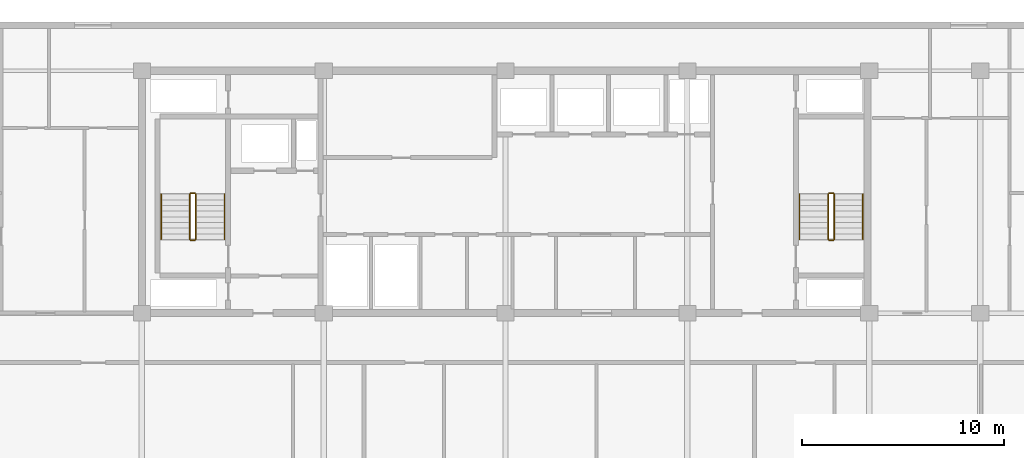
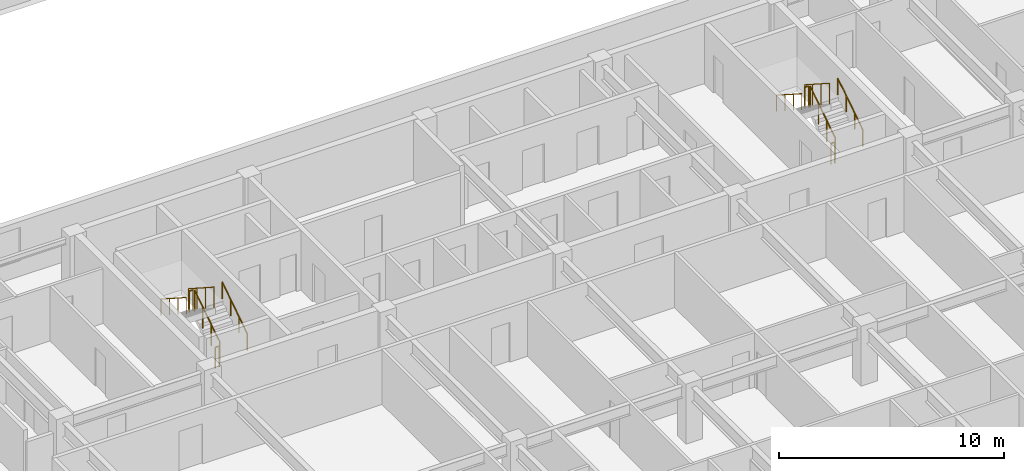
# One storey, part 18 of 21: 12 railings.
"""IFC4 building model written with IfcOpenShell, lengths in metres."""

from ifc_helpers import new_model, si_unit, direction, frame, origin, origin_2d, place, context, subcontext, project, spatial, circle, extrude, material, type_object, element, save


model = new_model("IFC4")

# Units and contexts
model_context = context("Model", 3, precision=1e-05, world=origin(), true_north=direction((0.0, 1.0)))
body_context = subcontext(model_context, "Body", "Model", "MODEL_VIEW")
ifc_project = project(units=[si_unit("LENGTHUNIT", "METRE"), si_unit("AREAUNIT", "SQUARE_METRE"), si_unit("VOLUMEUNIT", "CUBIC_METRE"), si_unit("PLANEANGLEUNIT", "RADIAN"), si_unit("MASSUNIT", "GRAM", prefix="KILO")], contexts=[model_context])

# Site, building, storey
site_placement = place(None, origin())
site = spatial("IfcSite", under=ifc_project, at=site_placement, CompositionType="ELEMENT")
building_placement = place(site_placement, origin())
building = spatial("IfcBuilding", under=site, at=building_placement, Name="Korimba Cascade Residences", CompositionType="ELEMENT")
storey_placement = place(building_placement, frame((0.0, 0.0, 116.550048828125)))
storey = spatial("IfcBuildingStorey", under=building, at=storey_placement, Name="L33", CompositionType="ELEMENT", Elevation=116.550048828125)

# Railings
ifc_material_1 = material(Name="Painted Steel Stairwell Guardrail", Category="steel")
railing_type_1 = type_object("IfcRailingType", Name="RLG-ST-GD1150", PredefinedType="GUARDRAIL", material=ifc_material_1)
railing_1_placement = place(storey_placement, frame((84.77001953125, 22.050048828125, 0.180419921875)))
element("IfcRailing", 1, at=railing_1_placement, inside=storey, type_object=railing_type_1, Name="L33 ST-E1 stair guard 1", PredefinedType="GUARDRAIL", context=body_context, shape_type="SweptSolid", body=[
    extrude(circle(Radius=0.02392578125, at=origin_2d()), frame((0.0, 0.0, 1.1259765625), z_axis=(0.0, 0.840394893359, 0.541974559565), x_axis=(-1.0, 0.0, 0.0)), (0.0, 0.0, 1.0), 2.665283203125),
    extrude(circle(Radius=0.02099609375, at=origin_2d()), origin(), (0.0, 0.0, 1.0), 1.101806640625),
    extrude(circle(Radius=0.02099609375, at=origin_2d()), frame((0.0, 0.74658203125, 0.4814453125)), (0.0, 0.0, 1.0), 1.101806640625),
    extrude(circle(Radius=0.02099609375, at=origin_2d()), frame((0.0, 1.493408203125, 0.963134765625)), (0.0, 0.0, 1.0), 1.101806640625),
    extrude(circle(Radius=0.02099609375, at=origin_2d()), frame((0.0, 2.239990234375, 1.444580078125)), (0.0, 0.0, 1.0), 1.101806640625),
])
railing_2_placement = place(storey_placement, frame((84.719970703125, 24.340087890625, 1.625)))
element("IfcRailing", 2, at=railing_2_placement, inside=storey, type_object=railing_type_1, Name="L33 ST-E1 stair guard 2", PredefinedType="GUARDRAIL", context=body_context, shape_type="SweptSolid", body=[
    extrude(circle(Radius=0.02392578125, at=origin_2d()), frame((0.0, 0.0, 1.1259765625), z_axis=(-1.0, 0.0, 0.0), x_axis=(0.0, -1.0, 0.0)), (0.0, 0.0, 1.0), 0.199951171875),
    extrude(circle(Radius=0.02099609375, at=origin_2d()), origin(), (0.0, 0.0, 1.0), 1.101806640625),
    extrude(circle(Radius=0.02099609375, at=origin_2d()), frame((-0.199951171875, 0.0, 0.0)), (0.0, 0.0, 1.0), 1.101806640625),
])
railing_3_placement = place(storey_placement, frame((84.469970703125, 24.2900390625, 1.805419921875)))
element("IfcRailing", 3, at=railing_3_placement, inside=storey, type_object=railing_type_1, Name="L33 ST-E1 stair guard 3", PredefinedType="GUARDRAIL", context=body_context, shape_type="SweptSolid", body=[
    extrude(circle(Radius=0.02392578125, at=origin_2d()), frame((0.0, 0.0, 1.1259765625), z_axis=(0.0, -0.840394893359, 0.541974559565), x_axis=(1.0, 0.0, 0.0)), (0.0, 0.0, 1.0), 2.665283203125),
    extrude(circle(Radius=0.02099609375, at=origin_2d()), origin(), (0.0, 0.0, 1.0), 1.101806640625),
    extrude(circle(Radius=0.02099609375, at=origin_2d()), frame((0.0, -0.74658203125, 0.4814453125)), (0.0, 0.0, 1.0), 1.101806640625),
    extrude(circle(Radius=0.02099609375, at=origin_2d()), frame((0.0, -1.493408203125, 0.963134765625)), (0.0, 0.0, 1.0), 1.101806640625),
    extrude(circle(Radius=0.02099609375, at=origin_2d()), frame((0.0, -2.239990234375, 1.444580078125)), (0.0, 0.0, 1.0), 1.101806640625),
])
railing_4_placement = place(storey_placement, frame((84.719970703125, 22.0, 0.0)))
element("IfcRailing", 4, at=railing_4_placement, inside=storey, type_object=railing_type_1, Name="L33 ST-E1 stair guard 4", PredefinedType="GUARDRAIL", context=body_context, shape_type="SweptSolid", body=[
    extrude(circle(Radius=0.02392578125, at=origin_2d()), frame((0.0, 0.0, 1.1259765625), z_axis=(-1.0, 0.0, 0.0), x_axis=(0.0, -1.0, 0.0)), (0.0, 0.0, 1.0), 0.199951171875),
    extrude(circle(Radius=0.02099609375, at=origin_2d()), origin(), (0.0, 0.0, 1.0), 1.101806640625),
    extrude(circle(Radius=0.02099609375, at=origin_2d()), frame((-0.199951171875, 0.0, 0.0)), (0.0, 0.0, 1.0), 1.101806640625),
])
railing_5_placement = place(storey_placement, frame((116.3701171875, 22.050048828125, 0.180419921875)))
element("IfcRailing", 5, at=railing_5_placement, inside=storey, type_object=railing_type_1, Name="L33 ST-E2 stair guard 1", PredefinedType="GUARDRAIL", context=body_context, shape_type="SweptSolid", body=[
    extrude(circle(Radius=0.02392578125, at=origin_2d()), frame((0.0, 0.0, 1.1259765625), z_axis=(0.0, 0.840394893359, 0.541974559565), x_axis=(-1.0, 0.0, 0.0)), (0.0, 0.0, 1.0), 2.665283203125),
    extrude(circle(Radius=0.02099609375, at=origin_2d()), origin(), (0.0, 0.0, 1.0), 1.101806640625),
    extrude(circle(Radius=0.02099609375, at=origin_2d()), frame((0.0, 0.74658203125, 0.4814453125)), (0.0, 0.0, 1.0), 1.101806640625),
    extrude(circle(Radius=0.02099609375, at=origin_2d()), frame((0.0, 1.493408203125, 0.963134765625)), (0.0, 0.0, 1.0), 1.101806640625),
    extrude(circle(Radius=0.02099609375, at=origin_2d()), frame((0.0, 2.239990234375, 1.444580078125)), (0.0, 0.0, 1.0), 1.101806640625),
])
railing_6_placement = place(storey_placement, frame((116.320068359375, 24.340087890625, 1.625)))
element("IfcRailing", 6, at=railing_6_placement, inside=storey, type_object=railing_type_1, Name="L33 ST-E2 stair guard 2", PredefinedType="GUARDRAIL", context=body_context, shape_type="SweptSolid", body=[
    extrude(circle(Radius=0.02392578125, at=origin_2d()), frame((0.0, 0.0, 1.1259765625), z_axis=(-1.0, 0.0, 0.0), x_axis=(0.0, -1.0, 0.0)), (0.0, 0.0, 1.0), 0.199951171875),
    extrude(circle(Radius=0.02099609375, at=origin_2d()), origin(), (0.0, 0.0, 1.0), 1.101806640625),
    extrude(circle(Radius=0.02099609375, at=origin_2d()), frame((-0.199951171875, 0.0, 0.0)), (0.0, 0.0, 1.0), 1.101806640625),
])
railing_7_placement = place(storey_placement, frame((116.070068359375, 24.2900390625, 1.805419921875)))
element("IfcRailing", 7, at=railing_7_placement, inside=storey, type_object=railing_type_1, Name="L33 ST-E2 stair guard 3", PredefinedType="GUARDRAIL", context=body_context, shape_type="SweptSolid", body=[
    extrude(circle(Radius=0.02392578125, at=origin_2d()), frame((0.0, 0.0, 1.1259765625), z_axis=(0.0, -0.840394893359, 0.541974559565), x_axis=(1.0, 0.0, 0.0)), (0.0, 0.0, 1.0), 2.665283203125),
    extrude(circle(Radius=0.02099609375, at=origin_2d()), origin(), (0.0, 0.0, 1.0), 1.101806640625),
    extrude(circle(Radius=0.02099609375, at=origin_2d()), frame((0.0, -0.74658203125, 0.4814453125)), (0.0, 0.0, 1.0), 1.101806640625),
    extrude(circle(Radius=0.02099609375, at=origin_2d()), frame((0.0, -1.493408203125, 0.963134765625)), (0.0, 0.0, 1.0), 1.101806640625),
    extrude(circle(Radius=0.02099609375, at=origin_2d()), frame((0.0, -2.239990234375, 1.444580078125)), (0.0, 0.0, 1.0), 1.101806640625),
])
railing_8_placement = place(storey_placement, frame((116.320068359375, 22.0, 0.0)))
element("IfcRailing", 8, at=railing_8_placement, inside=storey, type_object=railing_type_1, Name="L33 ST-E2 stair guard 4", PredefinedType="GUARDRAIL", context=body_context, shape_type="SweptSolid", body=[
    extrude(circle(Radius=0.02392578125, at=origin_2d()), frame((0.0, 0.0, 1.1259765625), z_axis=(-1.0, 0.0, 0.0), x_axis=(0.0, -1.0, 0.0)), (0.0, 0.0, 1.0), 0.199951171875),
    extrude(circle(Radius=0.02099609375, at=origin_2d()), origin(), (0.0, 0.0, 1.0), 1.101806640625),
    extrude(circle(Radius=0.02099609375, at=origin_2d()), frame((-0.199951171875, 0.0, 0.0)), (0.0, 0.0, 1.0), 1.101806640625),
])
ifc_material_2 = material(Name="Brushed Stainless Steel Handrail", Category="steel")
railing_type_2 = type_object("IfcRailingType", Name="RLG-ST-HR900", PredefinedType="HANDRAIL", material=ifc_material_2)
railing_9_placement = place(storey_placement, frame((86.18994140625, 22.050048828125, 0.364990234375)))
element("IfcRailing", 9, at=railing_9_placement, inside=storey, type_object=railing_type_2, Name="L33 ST-E1 stair handrail 1", PredefinedType="HANDRAIL", context=body_context, shape_type="SweptSolid", body=[
    extrude(circle(Radius=0.02392578125, at=origin_2d()), frame((0.0, 0.0, 0.8759765625), z_axis=(0.0, 0.840436612492, 0.541909863706), x_axis=(-1.0, 0.0, 0.0)), (0.0, 0.0, 1.0), 2.665283203125),
    extrude(circle(Radius=0.02099609375, at=origin_2d()), origin(), (0.0, 0.0, 1.0), 0.851806640625),
    extrude(circle(Radius=0.02099609375, at=origin_2d()), frame((0.0, 0.74658203125, 0.4814453125)), (0.0, 0.0, 1.0), 0.851806640625),
    extrude(circle(Radius=0.02099609375, at=origin_2d()), frame((0.0, 1.493408203125, 0.962890625)), (0.0, 0.0, 1.0), 0.851806640625),
    extrude(circle(Radius=0.02099609375, at=origin_2d()), frame((0.0, 2.239990234375, 1.4443359375)), (0.0, 0.0, 1.0), 0.851806640625),
])
railing_10_placement = place(storey_placement, frame((83.050048828125, 24.2900390625, 1.989990234375)))
element("IfcRailing", 10, at=railing_10_placement, inside=storey, type_object=railing_type_2, Name="L33 ST-E1 stair handrail 2", PredefinedType="HANDRAIL", context=body_context, shape_type="SweptSolid", body=[
    extrude(circle(Radius=0.02392578125, at=origin_2d()), frame((0.0, 0.0, 0.8759765625), z_axis=(0.0, -0.840436612492, 0.541909863706), x_axis=(1.0, 0.0, 0.0)), (0.0, 0.0, 1.0), 2.665283203125),
    extrude(circle(Radius=0.02099609375, at=origin_2d()), origin(), (0.0, 0.0, 1.0), 0.851806640625),
    extrude(circle(Radius=0.02099609375, at=origin_2d()), frame((0.0, -0.74658203125, 0.4814453125)), (0.0, 0.0, 1.0), 0.851806640625),
    extrude(circle(Radius=0.02099609375, at=origin_2d()), frame((0.0, -1.493408203125, 0.962890625)), (0.0, 0.0, 1.0), 0.851806640625),
    extrude(circle(Radius=0.02099609375, at=origin_2d()), frame((0.0, -2.239990234375, 1.4443359375)), (0.0, 0.0, 1.0), 0.851806640625),
])
railing_11_placement = place(storey_placement, frame((117.7900390625, 22.050048828125, 0.364990234375)))
element("IfcRailing", 11, at=railing_11_placement, inside=storey, type_object=railing_type_2, Name="L33 ST-E2 stair handrail 1", PredefinedType="HANDRAIL", context=body_context, shape_type="SweptSolid", body=[
    extrude(circle(Radius=0.02392578125, at=origin_2d()), frame((0.0, 0.0, 0.8759765625), z_axis=(0.0, 0.840436612492, 0.541909863706), x_axis=(-1.0, 0.0, 0.0)), (0.0, 0.0, 1.0), 2.665283203125),
    extrude(circle(Radius=0.02099609375, at=origin_2d()), origin(), (0.0, 0.0, 1.0), 0.851806640625),
    extrude(circle(Radius=0.02099609375, at=origin_2d()), frame((0.0, 0.74658203125, 0.4814453125)), (0.0, 0.0, 1.0), 0.851806640625),
    extrude(circle(Radius=0.02099609375, at=origin_2d()), frame((0.0, 1.493408203125, 0.962890625)), (0.0, 0.0, 1.0), 0.851806640625),
    extrude(circle(Radius=0.02099609375, at=origin_2d()), frame((0.0, 2.239990234375, 1.4443359375)), (0.0, 0.0, 1.0), 0.851806640625),
])
railing_12_placement = place(storey_placement, frame((114.64990234375, 24.2900390625, 1.989990234375)))
element("IfcRailing", 12, at=railing_12_placement, inside=storey, type_object=railing_type_2, Name="L33 ST-E2 stair handrail 2", PredefinedType="HANDRAIL", context=body_context, shape_type="SweptSolid", body=[
    extrude(circle(Radius=0.02392578125, at=origin_2d()), frame((0.0, 0.0, 0.8759765625), z_axis=(0.0, -0.840436612492, 0.541909863706), x_axis=(1.0, 0.0, 0.0)), (0.0, 0.0, 1.0), 2.665283203125),
    extrude(circle(Radius=0.02099609375, at=origin_2d()), origin(), (0.0, 0.0, 1.0), 0.851806640625),
    extrude(circle(Radius=0.02099609375, at=origin_2d()), frame((0.0, -0.74658203125, 0.4814453125)), (0.0, 0.0, 1.0), 0.851806640625),
    extrude(circle(Radius=0.02099609375, at=origin_2d()), frame((0.0, -1.493408203125, 0.962890625)), (0.0, 0.0, 1.0), 0.851806640625),
    extrude(circle(Radius=0.02099609375, at=origin_2d()), frame((0.0, -2.239990234375, 1.4443359375)), (0.0, 0.0, 1.0), 0.851806640625),
])

save(model, "model.ifc")
